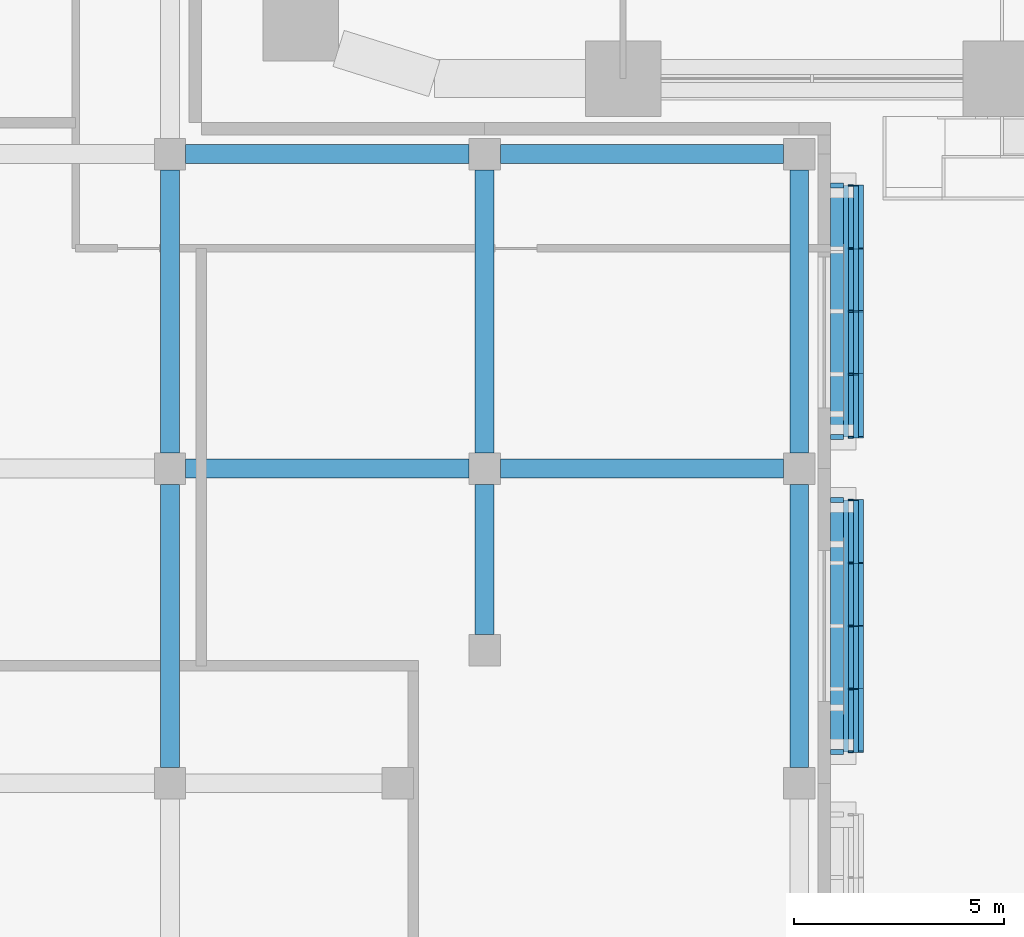
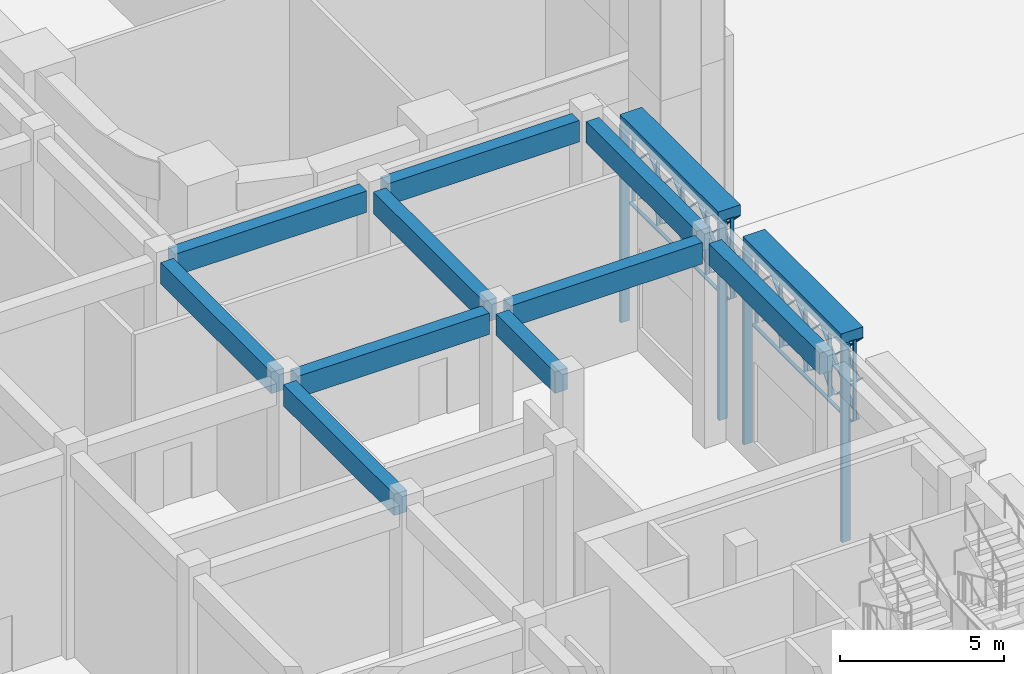
# One storey, part 6 of 64: 40 members, 12 beams.
"""IFC4 building model written with IfcOpenShell, lengths in metres."""

from ifc_helpers import new_model, si_unit, direction, frame, origin, origin_2d, place, context, subcontext, project, spatial, rectangle, extrude, material, material_profile, profile_set, type_object, element, save


model = new_model("IFC4")

# Units and contexts
model_context = context("Model", 3, precision=1e-05, world=origin(), true_north=direction((0.0, 1.0)))
body_context = subcontext(model_context, "Body", "Model", "MODEL_VIEW")
ifc_project = project(units=[si_unit("LENGTHUNIT", "METRE"), si_unit("AREAUNIT", "SQUARE_METRE"), si_unit("VOLUMEUNIT", "CUBIC_METRE"), si_unit("PLANEANGLEUNIT", "RADIAN"), si_unit("MASSUNIT", "GRAM", prefix="KILO")], contexts=[model_context])

# Site, building, storey
site_placement = place(None, origin())
site = spatial("IfcSite", under=ifc_project, at=site_placement, CompositionType="ELEMENT")
building_placement = place(site_placement, origin())
building = spatial("IfcBuilding", under=site, at=building_placement, Name="Tessera Arch", CompositionType="ELEMENT")
storey_placement = place(building_placement, origin())
storey = spatial("IfcBuildingStorey", under=building, at=storey_placement, Name="L00", CompositionType="ELEMENT", Elevation=0.0)

# Members
ifc_material_1 = material(Name="Anodised aluminium gold", Category="aluminium")
ifc_material_profile_1 = material_profile(ifc_material_1, rectangle(XDim=0.1201171875, YDim=0.0400390625, at=origin_2d()), Name="AL 40x120")
ifc_profile_set_1 = profile_set([ifc_material_profile_1], Name="Anodised aluminium gold")
member_type_1 = type_object("IfcMemberType", Name="Mashrabiya lattice blade", PredefinedType="USERDEFINED", material=ifc_profile_set_1)
for number, where, z_axis, x_axis, name in (
    (1, (14.31005859375, -16.050048828125, 4.35009765625), (0.0, 1.0, 0.0), (-1.0, 0.0, 0.0), "Lattice blade horizontal"),
    (2, (14.31005859375, -16.050048828125, 5.85009765625), (0.0, 1.0, 0.0), (-1.0, 0.0, 0.0), "Lattice blade horizontal"),
    (3, (14.31005859375, -16.050048828125, 7.35009765625), (0.0, 1.0, 0.0), (-1.0, 0.0, 0.0), "Lattice blade horizontal"),
):
    element("IfcMember", number, at=place(storey_placement, frame(where, z_axis=z_axis, x_axis=x_axis)), inside=storey, type_object=member_type_1, Name=name, ObjectType="FIN", PredefinedType="USERDEFINED", context=body_context, shape_type="SweptSolid", body=[
        extrude(rectangle(XDim=0.1201171875, YDim=0.0400390625, at=origin_2d()), origin(), (0.0, 0.0, 1.0), 6.0),
    ])
for number, where, z_axis, x_axis, name in (
    (4, (14.429931640625, -16.050048828125, 4.35009765625), (0.0, 0.0, 1.0), (1.0, 0.0, 0.0), "Lattice blade vertical"),
    (5, (14.429931640625, -14.550048828125, 4.35009765625), (0.0, 0.0, 1.0), (1.0, 0.0, 0.0), "Lattice blade vertical"),
    (6, (14.429931640625, -13.050048828125, 4.35009765625), (0.0, 0.0, 1.0), (1.0, 0.0, 0.0), "Lattice blade vertical"),
    (7, (14.429931640625, -11.550048828125, 4.35009765625), (0.0, 0.0, 1.0), (1.0, 0.0, 0.0), "Lattice blade vertical"),
    (8, (14.429931640625, -10.050048828125, 4.35009765625), (0.0, 0.0, 1.0), (1.0, 0.0, 0.0), "Lattice blade vertical"),
):
    element("IfcMember", number, at=place(storey_placement, frame(where, z_axis=z_axis, x_axis=x_axis)), inside=storey, type_object=member_type_1, Name=name, ObjectType="FIN", PredefinedType="USERDEFINED", context=body_context, shape_type="SweptSolid", body=[
        extrude(rectangle(XDim=0.1201171875, YDim=0.0400390625, at=origin_2d()), origin(), (0.0, 0.0, 1.0), 3.02001953125),
    ])
member_1_placement = place(storey_placement, frame((14.550048828125, -16.050048828125, 5.85009765625), z_axis=(0.0, 0.707106781187, 0.707106781187), x_axis=(-1.0, 0.0, 0.0)))
element("IfcMember", 9, at=member_1_placement, inside=storey, type_object=member_type_1, Name="Lattice blade diagonal", ObjectType="FIN", PredefinedType="USERDEFINED", context=body_context, shape_type="SweptSolid", body=[
    extrude(rectangle(XDim=0.1201171875, YDim=0.0400390625, at=origin_2d()), origin(), (0.0, 0.0, 1.0), 2.121337890625),
])
for number, where, z_axis, x_axis, name in (
    (10, (14.550048828125, -16.050048828125, 4.35009765625), (0.0, 0.707106781187, 0.707106781187), (-1.0, 0.0, 0.0), "Lattice blade diagonal"),
    (11, (14.550048828125, -14.550048828125, 4.35009765625), (0.0, 0.707106781187, 0.707106781187), (-1.0, 0.0, 0.0), "Lattice blade diagonal"),
    (12, (14.550048828125, -13.050048828125, 4.35009765625), (0.0, 0.707106781187, 0.707106781187), (-1.0, 0.0, 0.0), "Lattice blade diagonal"),
):
    element("IfcMember", number, at=place(storey_placement, frame(where, z_axis=z_axis, x_axis=x_axis)), inside=storey, type_object=member_type_1, Name=name, ObjectType="FIN", PredefinedType="USERDEFINED", context=body_context, shape_type="SweptSolid", body=[
        extrude(rectangle(XDim=0.1201171875, YDim=0.0400390625, at=origin_2d()), origin(), (0.0, 0.0, 1.0), 4.24267578125),
    ])
for number, where, z_axis, x_axis, name in (
    (13, (14.550048828125, -11.550048828125, 4.35009765625), (0.0, 0.707106781187, 0.707106781187), (-1.0, 0.0, 0.0), "Lattice blade diagonal"),
    (14, (14.669921875, -16.050048828125, 5.85009765625), (0.0, 0.707106781187, -0.707106781187), (-1.0, 0.0, 0.0), "Lattice blade diagonal"),
):
    element("IfcMember", number, at=place(storey_placement, frame(where, z_axis=z_axis, x_axis=x_axis)), inside=storey, type_object=member_type_1, Name=name, ObjectType="FIN", PredefinedType="USERDEFINED", context=body_context, shape_type="SweptSolid", body=[
        extrude(rectangle(XDim=0.1201171875, YDim=0.0400390625, at=origin_2d()), origin(), (0.0, 0.0, 1.0), 2.121337890625),
    ])
for number, where, z_axis, x_axis, name in (
    (15, (14.669921875, -16.050048828125, 7.35009765625), (0.0, 0.707106781187, -0.707106781187), (-1.0, 0.0, 0.0), "Lattice blade diagonal"),
    (16, (14.669921875, -14.550048828125, 7.35009765625), (0.0, 0.707106781187, -0.707106781187), (-1.0, 0.0, 0.0), "Lattice blade diagonal"),
    (17, (14.669921875, -13.050048828125, 7.35009765625), (0.0, 0.707106781187, -0.707106781187), (-1.0, 0.0, 0.0), "Lattice blade diagonal"),
):
    element("IfcMember", number, at=place(storey_placement, frame(where, z_axis=z_axis, x_axis=x_axis)), inside=storey, type_object=member_type_1, Name=name, ObjectType="FIN", PredefinedType="USERDEFINED", context=body_context, shape_type="SweptSolid", body=[
        extrude(rectangle(XDim=0.1201171875, YDim=0.0400390625, at=origin_2d()), origin(), (0.0, 0.0, 1.0), 4.24267578125),
    ])
member_2_placement = place(storey_placement, frame((14.669921875, -11.550048828125, 7.35009765625), z_axis=(0.0, 0.707106781187, -0.707106781187), x_axis=(-1.0, 0.0, 0.0)))
element("IfcMember", 18, at=member_2_placement, inside=storey, type_object=member_type_1, Name="Lattice blade diagonal", ObjectType="FIN", PredefinedType="USERDEFINED", context=body_context, shape_type="SweptSolid", body=[
    extrude(rectangle(XDim=0.1201171875, YDim=0.0400390625, at=origin_2d()), origin(), (0.0, 0.0, 1.0), 2.121337890625),
])
for number, where, z_axis, x_axis, name in (
    (19, (14.31005859375, -8.550048828125, 4.35009765625), (0.0, 1.0, 0.0), (-1.0, 0.0, 0.0), "Lattice blade horizontal"),
    (20, (14.31005859375, -8.550048828125, 5.85009765625), (0.0, 1.0, 0.0), (-1.0, 0.0, 0.0), "Lattice blade horizontal"),
    (21, (14.31005859375, -8.550048828125, 7.35009765625), (0.0, 1.0, 0.0), (-1.0, 0.0, 0.0), "Lattice blade horizontal"),
):
    element("IfcMember", number, at=place(storey_placement, frame(where, z_axis=z_axis, x_axis=x_axis)), inside=storey, type_object=member_type_1, Name=name, ObjectType="FIN", PredefinedType="USERDEFINED", context=body_context, shape_type="SweptSolid", body=[
        extrude(rectangle(XDim=0.1201171875, YDim=0.0400390625, at=origin_2d()), origin(), (0.0, 0.0, 1.0), 6.0),
    ])
for number, where, z_axis, x_axis, name in (
    (22, (14.429931640625, -8.550048828125, 4.35009765625), (0.0, 0.0, 1.0), (1.0, 0.0, 0.0), "Lattice blade vertical"),
    (23, (14.429931640625, -7.050048828125, 4.35009765625), (0.0, 0.0, 1.0), (1.0, 0.0, 0.0), "Lattice blade vertical"),
    (24, (14.429931640625, -5.550048828125, 4.35009765625), (0.0, 0.0, 1.0), (1.0, 0.0, 0.0), "Lattice blade vertical"),
    (25, (14.429931640625, -4.050048828125, 4.35009765625), (0.0, 0.0, 1.0), (1.0, 0.0, 0.0), "Lattice blade vertical"),
    (26, (14.429931640625, -2.550048828125, 4.35009765625), (0.0, 0.0, 1.0), (1.0, 0.0, 0.0), "Lattice blade vertical"),
):
    element("IfcMember", number, at=place(storey_placement, frame(where, z_axis=z_axis, x_axis=x_axis)), inside=storey, type_object=member_type_1, Name=name, ObjectType="FIN", PredefinedType="USERDEFINED", context=body_context, shape_type="SweptSolid", body=[
        extrude(rectangle(XDim=0.1201171875, YDim=0.0400390625, at=origin_2d()), origin(), (0.0, 0.0, 1.0), 3.02001953125),
    ])
member_3_placement = place(storey_placement, frame((14.550048828125, -8.550048828125, 5.85009765625), z_axis=(0.0, 0.707106781187, 0.707106781187), x_axis=(-1.0, 0.0, 0.0)))
element("IfcMember", 27, at=member_3_placement, inside=storey, type_object=member_type_1, Name="Lattice blade diagonal", ObjectType="FIN", PredefinedType="USERDEFINED", context=body_context, shape_type="SweptSolid", body=[
    extrude(rectangle(XDim=0.1201171875, YDim=0.0400390625, at=origin_2d()), origin(), (0.0, 0.0, 1.0), 2.121337890625),
])
for number, where, z_axis, x_axis, name in (
    (28, (14.550048828125, -8.550048828125, 4.35009765625), (0.0, 0.707106781187, 0.707106781187), (-1.0, 0.0, 0.0), "Lattice blade diagonal"),
    (29, (14.550048828125, -7.050048828125, 4.35009765625), (0.0, 0.707106781187, 0.707106781187), (-1.0, 0.0, 0.0), "Lattice blade diagonal"),
    (30, (14.550048828125, -5.550048828125, 4.35009765625), (0.0, 0.707106781187, 0.707106781187), (-1.0, 0.0, 0.0), "Lattice blade diagonal"),
):
    element("IfcMember", number, at=place(storey_placement, frame(where, z_axis=z_axis, x_axis=x_axis)), inside=storey, type_object=member_type_1, Name=name, ObjectType="FIN", PredefinedType="USERDEFINED", context=body_context, shape_type="SweptSolid", body=[
        extrude(rectangle(XDim=0.1201171875, YDim=0.0400390625, at=origin_2d()), origin(), (0.0, 0.0, 1.0), 4.24267578125),
    ])
for number, where, z_axis, x_axis, name in (
    (31, (14.550048828125, -4.050048828125, 4.35009765625), (0.0, 0.707106781187, 0.707106781187), (-1.0, 0.0, 0.0), "Lattice blade diagonal"),
    (32, (14.669921875, -8.550048828125, 5.85009765625), (0.0, 0.707106781187, -0.707106781187), (-1.0, 0.0, 0.0), "Lattice blade diagonal"),
):
    element("IfcMember", number, at=place(storey_placement, frame(where, z_axis=z_axis, x_axis=x_axis)), inside=storey, type_object=member_type_1, Name=name, ObjectType="FIN", PredefinedType="USERDEFINED", context=body_context, shape_type="SweptSolid", body=[
        extrude(rectangle(XDim=0.1201171875, YDim=0.0400390625, at=origin_2d()), origin(), (0.0, 0.0, 1.0), 2.121337890625),
    ])
for number, where, z_axis, x_axis, name in (
    (33, (14.669921875, -8.550048828125, 7.35009765625), (0.0, 0.707106781187, -0.707106781187), (-1.0, 0.0, 0.0), "Lattice blade diagonal"),
    (34, (14.669921875, -7.050048828125, 7.35009765625), (0.0, 0.707106781187, -0.707106781187), (-1.0, 0.0, 0.0), "Lattice blade diagonal"),
    (35, (14.669921875, -5.550048828125, 7.35009765625), (0.0, 0.707106781187, -0.707106781187), (-1.0, 0.0, 0.0), "Lattice blade diagonal"),
):
    element("IfcMember", number, at=place(storey_placement, frame(where, z_axis=z_axis, x_axis=x_axis)), inside=storey, type_object=member_type_1, Name=name, ObjectType="FIN", PredefinedType="USERDEFINED", context=body_context, shape_type="SweptSolid", body=[
        extrude(rectangle(XDim=0.1201171875, YDim=0.0400390625, at=origin_2d()), origin(), (0.0, 0.0, 1.0), 4.24267578125),
    ])
member_4_placement = place(storey_placement, frame((14.669921875, -4.050048828125, 7.35009765625), z_axis=(0.0, 0.707106781187, -0.707106781187), x_axis=(-1.0, 0.0, 0.0)))
element("IfcMember", 36, at=member_4_placement, inside=storey, type_object=member_type_1, Name="Lattice blade diagonal", ObjectType="FIN", PredefinedType="USERDEFINED", context=body_context, shape_type="SweptSolid", body=[
    extrude(rectangle(XDim=0.1201171875, YDim=0.0400390625, at=origin_2d()), origin(), (0.0, 0.0, 1.0), 2.121337890625),
])

# Beams
ifc_material_2 = material(Name="Concrete C40/50", Category="concrete")
ifc_material_profile_2 = material_profile(ifc_material_2, rectangle(XDim=0.449951171875, YDim=0.800048828125, at=origin_2d()), Name="Museum beam 450 x 800 Concrete C40/50")
ifc_profile_set_2 = profile_set([ifc_material_profile_2], Name="Concrete C40/50")
beam_type_1 = type_object("IfcBeamType", Name="Museum beam 450 x 800 Concrete C40/50", PredefinedType="BEAM", material=ifc_profile_set_2)
for number, where, z_axis, x_axis, name in (
    (37, (-1.800048828125, -16.425048828125, 7.18994140625), (0.0, 1.0, 0.0), (-1.0, 0.0, 0.0), "Museum beam L00 36"),
    (38, (-1.800048828125, -8.925048828125, 7.18994140625), (0.0, 1.0, 0.0), (-1.0, 0.0, 0.0), "Museum beam L00 37"),
):
    element("IfcBeam", number, at=place(storey_placement, frame(where, z_axis=z_axis, x_axis=x_axis)), inside=storey, type_object=beam_type_1, Name=name, PredefinedType="BEAM", context=body_context, shape_type="SweptSolid", body=[
        extrude(rectangle(XDim=0.449951171875, YDim=0.800048828125, at=origin_2d()), origin(), (0.0, 0.0, 1.0), 6.75),
    ])
beam_placement = place(storey_placement, frame((5.699951171875, -13.25, 7.18994140625), z_axis=(0.0, 1.0, 0.0), x_axis=(-1.0, 0.0, 0.0)))
element("IfcBeam", 39, at=beam_placement, inside=storey, type_object=beam_type_1, Name="Museum beam L00 46", PredefinedType="BEAM", context=body_context, shape_type="SweptSolid", body=[
    extrude(rectangle(XDim=0.449951171875, YDim=0.800048828125, at=origin_2d()), origin(), (0.0, 0.0, 1.0), 3.574951171875),
])
for number, where, z_axis, x_axis, name in (
    (40, (5.699951171875, -8.925048828125, 7.18994140625), (0.0, 1.0, 0.0), (-1.0, 0.0, 0.0), "Museum beam L00 47"),
    (41, (13.199951171875, -16.425048828125, 7.18994140625), (0.0, 1.0, 0.0), (-1.0, 0.0, 0.0), "Museum beam L00 49"),
    (42, (13.199951171875, -8.925048828125, 7.18994140625), (0.0, 1.0, 0.0), (-1.0, 0.0, 0.0), "Museum beam L00 50"),
    (43, (-1.425048828125, -9.300048828125, 7.18994140625), (1.0, 0.0, 0.0), (0.0, 1.0, 0.0), "Museum beam L00 61"),
    (44, (6.074951171875, -9.300048828125, 7.18994140625), (1.0, 0.0, 0.0), (0.0, 1.0, 0.0), "Museum beam L00 62"),
    (45, (-1.425048828125, -1.800048828125, 7.18994140625), (1.0, 0.0, 0.0), (0.0, 1.0, 0.0), "Museum beam L00 67"),
    (46, (6.074951171875, -1.800048828125, 7.18994140625), (1.0, 0.0, 0.0), (0.0, 1.0, 0.0), "Museum beam L00 68"),
):
    element("IfcBeam", number, at=place(storey_placement, frame(where, z_axis=z_axis, x_axis=x_axis)), inside=storey, type_object=beam_type_1, Name=name, PredefinedType="BEAM", context=body_context, shape_type="SweptSolid", body=[
        extrude(rectangle(XDim=0.449951171875, YDim=0.800048828125, at=origin_2d()), origin(), (0.0, 0.0, 1.0), 6.75),
    ])
ifc_material_3 = material(Name="Aluminium alloy 6063-T6", Category="aluminium")
ifc_material_profile_3 = material_profile(ifc_material_3, rectangle(XDim=0.780029296875, YDim=0.389892578125, at=origin_2d()), Name="AL 780x390")
ifc_profile_set_3 = profile_set([ifc_material_profile_3], Name="Aluminium alloy 6063-T6")
beam_type_2 = type_object("IfcBeamType", Name="Screen head beam", PredefinedType="BEAM", material=ifc_profile_set_3)
for number, where, z_axis, x_axis, name in (
    (47, (14.340087890625, -16.050048828125, 7.544921875), (0.0, 1.0, 0.0), (-1.0, 0.0, 0.0), "Screen head beam"),
    (48, (14.340087890625, -8.550048828125, 7.544921875), (0.0, 1.0, 0.0), (-1.0, 0.0, 0.0), "Screen head beam"),
):
    element("IfcBeam", number, at=place(storey_placement, frame(where, z_axis=z_axis, x_axis=x_axis)), inside=storey, type_object=beam_type_2, Name=name, PredefinedType="BEAM", context=body_context, shape_type="SweptSolid", body=[
        extrude(rectangle(XDim=0.780029296875, YDim=0.389892578125, at=origin_2d()), origin(), (0.0, 0.0, 1.0), 6.0),
    ])

# Members
ifc_material_4 = material(Name="Aluminium alloy 6063-T6", Category="aluminium")
ifc_material_profile_4 = material_profile(ifc_material_4, rectangle(XDim=0.300048828125, YDim=0.1201171875, at=origin_2d()), Name="AL 120x300")
ifc_profile_set_4 = profile_set([ifc_material_profile_4], Name="Aluminium alloy 6063-T6")
member_type_2 = type_object("IfcMemberType", Name="Screen post", PredefinedType="POST", material=ifc_profile_set_4)
for number, where, z_axis, x_axis, name in (
    (49, (14.10009765625, -16.050048828125, 0.0), (0.0, 0.0, 1.0), (1.0, 0.0, 0.0), "Screen post"),
    (50, (14.10009765625, -10.050048828125, 0.0), (0.0, 0.0, 1.0), (1.0, 0.0, 0.0), "Screen post"),
    (51, (14.10009765625, -8.550048828125, 0.0), (0.0, 0.0, 1.0), (1.0, 0.0, 0.0), "Screen post"),
    (52, (14.10009765625, -2.550048828125, 0.0), (0.0, 0.0, 1.0), (1.0, 0.0, 0.0), "Screen post"),
):
    element("IfcMember", number, at=place(storey_placement, frame(where, z_axis=z_axis, x_axis=x_axis)), inside=storey, type_object=member_type_2, Name=name, PredefinedType="POST", context=body_context, shape_type="SweptSolid", body=[
        extrude(rectangle(XDim=0.300048828125, YDim=0.1201171875, at=origin_2d()), origin(), (0.0, 0.0, 1.0), 7.330078125),
    ])

save(model, "model.ifc")
